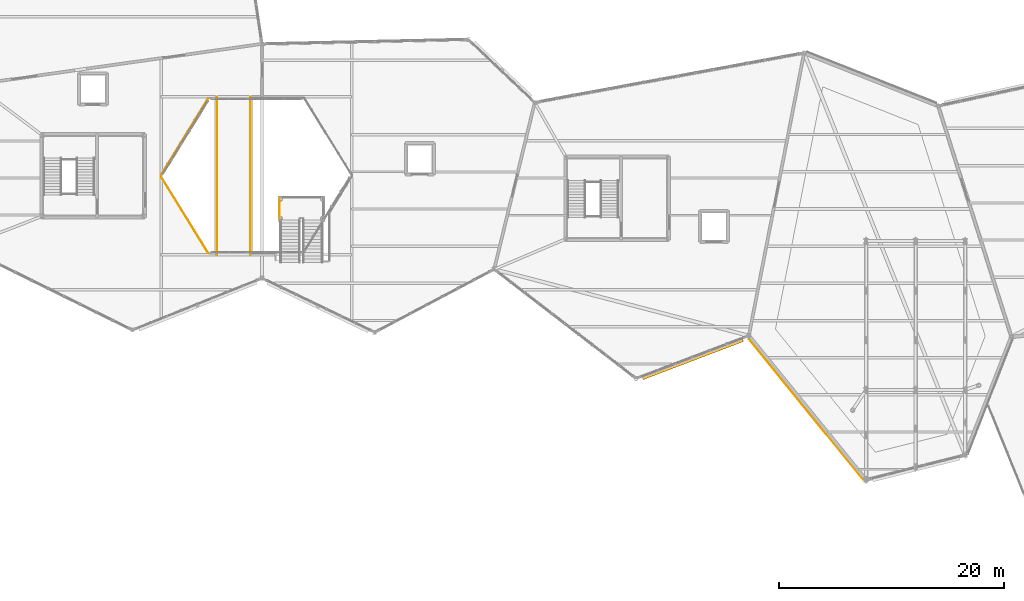
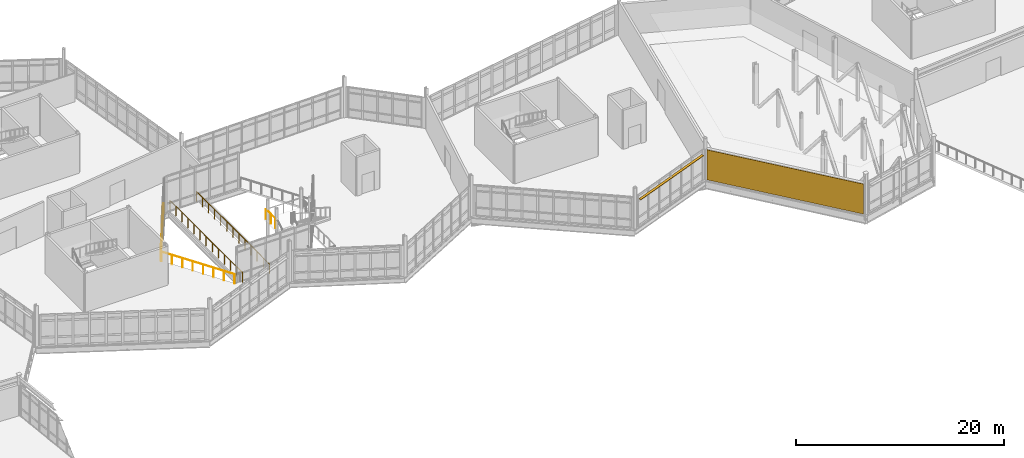
# One storey, part 109 of 114: 5 railings, 1 covering, 1 shading device.
"""IFC4 building model written with IfcOpenShell, lengths in metres."""

from ifc_helpers import new_model, si_unit, direction, frame, frame_2d, origin, origin_2d, place, context, subcontext, project, spatial, rectangle, circle, extrude, material, layer, layer_set, type_object, element, save


model = new_model("IFC4")

# Units and contexts
model_context = context("Model", 3, precision=1e-05, world=origin(), true_north=direction((0.0, 1.0)))
body_context = subcontext(model_context, "Body", "Model", "MODEL_VIEW")
ifc_project = project(units=[si_unit("LENGTHUNIT", "METRE"), si_unit("AREAUNIT", "SQUARE_METRE"), si_unit("VOLUMEUNIT", "CUBIC_METRE"), si_unit("PLANEANGLEUNIT", "RADIAN"), si_unit("MASSUNIT", "GRAM", prefix="KILO")], contexts=[model_context])

# Site, building, storey
site_placement = place(None, origin())
site = spatial("IfcSite", under=ifc_project, at=site_placement, CompositionType="ELEMENT")
building_placement = place(site_placement, origin())
building = spatial("IfcBuilding", under=site, at=building_placement, Name="Tameran Prism Museum", CompositionType="ELEMENT")
storey_placement = place(building_placement, frame((0.0, 0.0, 10.199951171875)))
storey = spatial("IfcBuildingStorey", under=building, at=storey_placement, Name="L02", CompositionType="ELEMENT", Elevation=10.199951171875)

# Covering
ifc_material_1 = material(Name="White Fluted Mineral Precast GRC", Category="concrete")
ifc_layer_1 = layer(ifc_material_1, 0.044921875)
ifc_layer_set_1 = layer_set([ifc_layer_1])
covering_type = type_object("IfcCoveringType", Name="CV-FLUTE-WHT", PredefinedType="CLADDING", material=ifc_layer_set_1)
covering_placement = place(storey_placement, frame((130.84912109375, 9.528076171875, 0.050048828125), z_axis=(0.0, 0.0, 1.0), x_axis=(-0.630621791268, 0.776090301691, 0.0)))
element("IfcCovering", 1, at=covering_placement, inside=storey, type_object=covering_type, Name="Vertical Fluted White Precast Panel CL-0036", PredefinedType="CLADDING", context=body_context, shape_type="SweptSolid", body=[
    extrude(rectangle(XDim=16.071533203125, YDim=0.044921875, at=frame_2d((8.03564453125, 0.0))), origin(), (0.0, 0.0, 1.0), 3.52001953125),
])

# Railings
ifc_material_2 = material(Name="Laminated Glass and Stainless Steel 316", Category="steel")
ifc_layer_2 = layer(ifc_material_2, 0.06494140625)
ifc_layer_set_2 = layer_set([ifc_layer_2])
railing_type = type_object("IfcRailingType", Name="RL-BAL-1150", PredefinedType="BALUSTRADE", material=ifc_layer_set_2)
railing_1_placement = place(storey_placement, frame((79.06005859375, 32.77001953125, 2.400146484375)))
element("IfcRailing", 2, at=railing_1_placement, inside=storey, type_object=railing_type, Name="Atrium Landing Perimeter Guard BL-128", PredefinedType="BALUSTRADE", context=body_context, shape_type="SweptSolid", body=[
    extrude(circle(Radius=0.02392578125, at=origin_2d()), frame((0.0, 0.0, 1.1259765625), z_axis=(0.0, 1.0, 0.0), x_axis=(-1.0, 0.0, 0.0)), (0.0, 0.0, 1.0), 1.820068359375),
    extrude(circle(Radius=0.02099609375, at=origin_2d()), origin(), (0.0, 0.0, 1.0), 1.101806640625),
    extrude(circle(Radius=0.02099609375, at=origin_2d()), frame((0.0, 0.91015625, 0.0)), (0.0, 0.0, 1.0), 1.101806640625),
    extrude(circle(Radius=0.02099609375, at=origin_2d()), frame((0.0, 1.820068359375, 0.0)), (0.0, 0.0, 1.0), 1.101806640625),
])
railing_2_placement = place(storey_placement, frame((72.715087890625, 29.64697265625, 0.0)))
element("IfcRailing", 3, at=railing_2_placement, inside=storey, type_object=railing_type, Name="Atrium Void Balustrade BL-A010", PredefinedType="BALUSTRADE", context=body_context, shape_type="SweptSolid", body=[
    extrude(circle(Radius=0.02392578125, at=origin_2d()), frame((0.0, 0.0, 1.1259765625), z_axis=(-0.525507837885, 0.85078875893, 0.0), x_axis=(-0.85078875893, -0.525507837885, 0.0)), (0.0, 0.0, 1.0), 7.99267578125),
    extrude(circle(Radius=0.02099609375, at=origin_2d()), origin(), (0.0, 0.0, 1.0), 1.101806640625),
    extrude(circle(Radius=0.02099609375, at=origin_2d()), frame((-0.60009765625, 0.971435546875, 0.0)), (0.0, 0.0, 1.0), 1.101806640625),
    extrude(circle(Radius=0.02099609375, at=origin_2d()), frame((-1.199951171875, 1.94287109375, 0.0)), (0.0, 0.0, 1.0), 1.101806640625),
    extrude(circle(Radius=0.02099609375, at=origin_2d()), frame((-1.800048828125, 2.914306640625, 0.0)), (0.0, 0.0, 1.0), 1.101806640625),
    extrude(circle(Radius=0.02099609375, at=origin_2d()), frame((-2.400146484375, 3.8857421875, 0.0)), (0.0, 0.0, 1.0), 1.101806640625),
    extrude(circle(Radius=0.02099609375, at=origin_2d()), frame((-3.000244140625, 4.857177734375, 0.0)), (0.0, 0.0, 1.0), 1.101806640625),
    extrude(circle(Radius=0.02099609375, at=origin_2d()), frame((-3.60009765625, 5.82861328125, 0.0)), (0.0, 0.0, 1.0), 1.101806640625),
    extrude(circle(Radius=0.02099609375, at=origin_2d()), frame((-4.2001953125, 6.800048828125, 0.0)), (0.0, 0.0, 1.0), 1.101806640625),
])
railing_3_placement = place(storey_placement, frame((68.514892578125, 36.552978515625, 0.0)))
element("IfcRailing", 4, at=railing_3_placement, inside=storey, type_object=railing_type, Name="Atrium Void Balustrade BL-A011", PredefinedType="BALUSTRADE", context=body_context, shape_type="SweptSolid", body=[
    extrude(circle(Radius=0.02392578125, at=origin_2d()), frame((0.0, 0.0, 1.1259765625), z_axis=(0.525507837885, 0.85078875893, 0.0), x_axis=(-0.85078875893, 0.525507837885, 0.0)), (0.0, 0.0, 1.0), 7.99267578125),
    extrude(circle(Radius=0.02099609375, at=origin_2d()), origin(), (0.0, 0.0, 1.0), 1.101806640625),
    extrude(circle(Radius=0.02099609375, at=origin_2d()), frame((0.60009765625, 0.971435546875, 0.0)), (0.0, 0.0, 1.0), 1.101806640625),
    extrude(circle(Radius=0.02099609375, at=origin_2d()), frame((1.199951171875, 1.94287109375, 0.0)), (0.0, 0.0, 1.0), 1.101806640625),
    extrude(circle(Radius=0.02099609375, at=origin_2d()), frame((1.800048828125, 2.914306640625, 0.0)), (0.0, 0.0, 1.0), 1.101806640625),
    extrude(circle(Radius=0.02099609375, at=origin_2d()), frame((2.400146484375, 3.8857421875, 0.0)), (0.0, 0.0, 1.0), 1.101806640625),
    extrude(circle(Radius=0.02099609375, at=origin_2d()), frame((3.000244140625, 4.857177734375, 0.0)), (0.0, 0.0, 1.0), 1.101806640625),
    extrude(circle(Radius=0.02099609375, at=origin_2d()), frame((3.60009765625, 5.82861328125, 0.0)), (0.0, 0.0, 1.0), 1.101806640625),
    extrude(circle(Radius=0.02099609375, at=origin_2d()), frame((4.2001953125, 6.800048828125, 0.0)), (0.0, 0.0, 1.0), 1.101806640625),
])
for number, where, name in (
    (5, (73.52001953125, 29.5, 0.0), "Atrium Bridge Balustrade BL-B42"),
    (6, (76.47998046875, 29.5, 0.0), "Atrium Bridge Balustrade BL-B43"),
):
    element("IfcRailing", number, at=place(storey_placement, frame(where)), inside=storey, type_object=railing_type, Name=name, PredefinedType="BALUSTRADE", context=body_context, shape_type="SweptSolid", body=[
        extrude(circle(Radius=0.02392578125, at=origin_2d()), frame((0.0, 0.0, 1.1259765625), z_axis=(0.0, 1.0, 0.0), x_axis=(-1.0, 0.0, 0.0)), (0.0, 0.0, 1.0), 14.0),
        extrude(circle(Radius=0.02099609375, at=origin_2d()), origin(), (0.0, 0.0, 1.0), 1.101806640625),
        extrude(circle(Radius=0.02099609375, at=origin_2d()), frame((0.0, 1.166748046875, 0.0)), (0.0, 0.0, 1.0), 1.101806640625),
        extrude(circle(Radius=0.02099609375, at=origin_2d()), frame((0.0, 2.333251953125, 0.0)), (0.0, 0.0, 1.0), 1.101806640625),
        extrude(circle(Radius=0.02099609375, at=origin_2d()), frame((0.0, 3.5, 0.0)), (0.0, 0.0, 1.0), 1.101806640625),
        extrude(circle(Radius=0.02099609375, at=origin_2d()), frame((0.0, 4.666748046875, 0.0)), (0.0, 0.0, 1.0), 1.101806640625),
        extrude(circle(Radius=0.02099609375, at=origin_2d()), frame((0.0, 5.833251953125, 0.0)), (0.0, 0.0, 1.0), 1.101806640625),
        extrude(circle(Radius=0.02099609375, at=origin_2d()), frame((0.0, 7.0, 0.0)), (0.0, 0.0, 1.0), 1.101806640625),
        extrude(circle(Radius=0.02099609375, at=origin_2d()), frame((0.0, 8.166748046875, 0.0)), (0.0, 0.0, 1.0), 1.101806640625),
        extrude(circle(Radius=0.02099609375, at=origin_2d()), frame((0.0, 9.333251953125, 0.0)), (0.0, 0.0, 1.0), 1.101806640625),
        extrude(circle(Radius=0.02099609375, at=origin_2d()), frame((0.0, 10.5, 0.0)), (0.0, 0.0, 1.0), 1.101806640625),
        extrude(circle(Radius=0.02099609375, at=origin_2d()), frame((0.0, 11.666748046875, 0.0)), (0.0, 0.0, 1.0), 1.101806640625),
        extrude(circle(Radius=0.02099609375, at=origin_2d()), frame((0.0, 12.833251953125, 0.0)), (0.0, 0.0, 1.0), 1.101806640625),
        extrude(circle(Radius=0.02099609375, at=origin_2d()), frame((0.0, 14.0, 0.0)), (0.0, 0.0, 1.0), 1.101806640625),
    ])

# Shading device
ifc_material_3 = material(Name="Anodised Aluminium Alloy 6063-T6", Category="aluminium")
ifc_layer_3 = layer(ifc_material_3, 0.050048828125)
ifc_layer_set_3 = layer_set([ifc_layer_3])
shading_device_type = type_object("IfcShadingDeviceType", Name="SH-LOUV-300", PredefinedType="SHUTTER", material=ifc_layer_set_3)
shading_device_placement = place(storey_placement, frame((115.736083984375, 20.220947265625, 3.14013671875), z_axis=(0.0, 0.0, 1.0), x_axis=(-0.934763684301, -0.355270114859, 0.0)))
element("IfcShadingDevice", 7, at=shading_device_placement, inside=storey, type_object=shading_device_type, Name="Monsoon Storm Louvre SLV-049", PredefinedType="SHUTTER", context=body_context, shape_type="SweptSolid", body=[
    extrude(rectangle(XDim=9.5380859375, YDim=0.260009765625, at=origin_2d()), origin(), (0.0, 0.0, 1.0), 0.06005859375),
])

save(model, "model.ifc")
